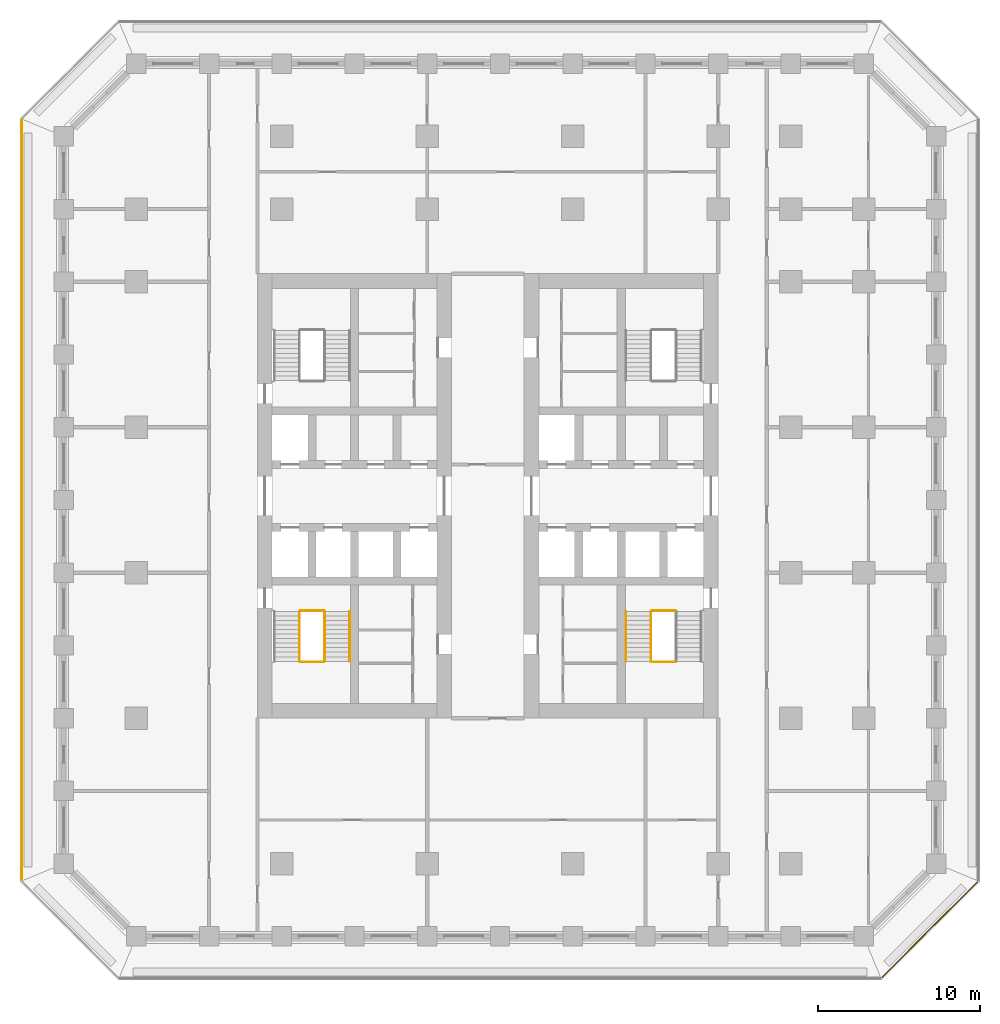
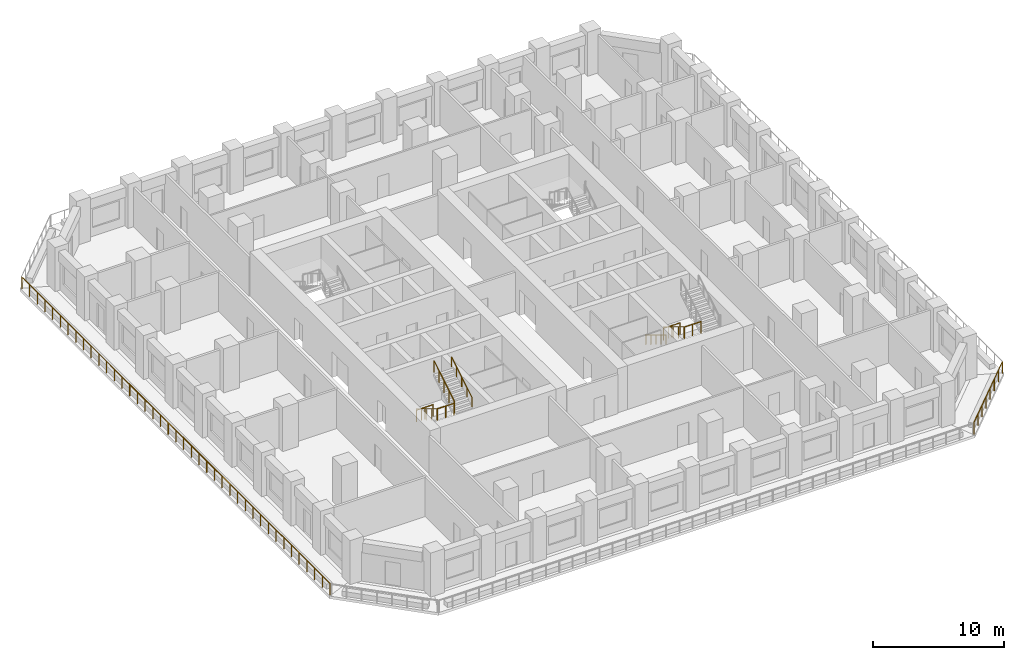
# One storey, part 11 of 17: 11 railings.
"""IFC4 building model written with IfcOpenShell, lengths in metres."""

from ifc_helpers import new_model, si_unit, direction, frame, origin, origin_2d, place, context, subcontext, project, spatial, circle, extrude, material, type_object, element, save


model = new_model("IFC4")

# Units and contexts
model_context = context("Model", 3, precision=1e-05, world=origin(), true_north=direction((0.0, 1.0)))
body_context = subcontext(model_context, "Body", "Model", "MODEL_VIEW")
ifc_project = project(units=[si_unit("LENGTHUNIT", "METRE"), si_unit("AREAUNIT", "SQUARE_METRE"), si_unit("VOLUMEUNIT", "CUBIC_METRE"), si_unit("PLANEANGLEUNIT", "RADIAN"), si_unit("MASSUNIT", "GRAM", prefix="KILO")], contexts=[model_context])

# Site, building, storey
site_placement = place(None, origin())
site = spatial("IfcSite", under=ifc_project, at=site_placement, CompositionType="ELEMENT")
building_placement = place(site_placement, origin())
building = spatial("IfcBuilding", under=site, at=building_placement, Name="Corbel Stack Research Tower", CompositionType="ELEMENT")
storey_placement = place(building_placement, frame((0.0, 0.0, 86.10009765625)))
storey = spatial("IfcBuildingStorey", under=building, at=storey_placement, Name="L19", CompositionType="ELEMENT", Elevation=86.10009765625)

# Railings
ifc_material_1 = material(Name="Steel S355", Category="steel")
railing_type_1 = type_object("IfcRailingType", Name="Stair guard 1100", PredefinedType="GUARDRAIL", material=ifc_material_1)
railing_1_placement = place(storey_placement, frame((-7.89990234375, -2.39990234375, 0.170654296875)))
element("IfcRailing", 1, at=railing_1_placement, inside=storey, type_object=railing_type_1, Name="L19 ST-W1 stair guard 1", PredefinedType="GUARDRAIL", context=body_context, shape_type="SweptSolid", body=[
    extrude(circle(Radius=0.02392578125, at=origin_2d()), frame((0.0, 0.0, 1.076171875), z_axis=(0.0, -0.853666305674, 0.52082035152), x_axis=(1.0, 0.0, 0.0)), (0.0, 0.0, 1.0), 3.608154296875),
    extrude(circle(Radius=0.02099609375, at=origin_2d()), origin(), (0.0, 0.0, 1.0), 1.052001953125),
    extrude(circle(Radius=0.02099609375, at=origin_2d()), frame((0.0, -0.77001953125, 0.4697265625)), (0.0, 0.0, 1.0), 1.052001953125),
    extrude(circle(Radius=0.02099609375, at=origin_2d()), frame((0.0, -1.5400390625, 0.939453125)), (0.0, 0.0, 1.0), 1.052001953125),
    extrude(circle(Radius=0.02099609375, at=origin_2d()), frame((0.0, -2.31005859375, 1.409423828125)), (0.0, 0.0, 1.0), 1.052001953125),
    extrude(circle(Radius=0.02099609375, at=origin_2d()), frame((0.0, -3.080078125, 1.879150390625)), (0.0, 0.0, 1.0), 1.052001953125),
])
railing_2_placement = place(storey_placement, frame((-7.85009765625, -5.530029296875, 2.0498046875)))
element("IfcRailing", 2, at=railing_2_placement, inside=storey, type_object=railing_type_1, Name="L19 ST-W1 stair guard 2", PredefinedType="GUARDRAIL", context=body_context, shape_type="SweptSolid", body=[
    extrude(circle(Radius=0.02392578125, at=origin_2d()), frame((0.0, 0.0, 1.076171875), z_axis=(1.0, 0.0, 0.0), x_axis=(0.0, 1.0, 0.0)), (0.0, 0.0, 1.0), 1.4501953125),
    extrude(circle(Radius=0.02099609375, at=origin_2d()), origin(), (0.0, 0.0, 1.0), 1.052001953125),
    extrude(circle(Radius=0.02099609375, at=origin_2d()), frame((0.72509765625, 0.0, 0.0)), (0.0, 0.0, 1.0), 1.052001953125),
    extrude(circle(Radius=0.02099609375, at=origin_2d()), frame((1.4501953125, 0.0, 0.0)), (0.0, 0.0, 1.0), 1.052001953125),
])
railing_3_placement = place(storey_placement, frame((-6.35009765625, -5.47998046875, 2.220703125)))
element("IfcRailing", 3, at=railing_3_placement, inside=storey, type_object=railing_type_1, Name="L19 ST-W1 stair guard 4", PredefinedType="GUARDRAIL", context=body_context, shape_type="SweptSolid", body=[
    extrude(circle(Radius=0.02392578125, at=origin_2d()), frame((0.0, 0.0, 1.076171875), z_axis=(0.0, 0.853666305674, 0.52082035152), x_axis=(-1.0, 0.0, 0.0)), (0.0, 0.0, 1.0), 3.608154296875),
    extrude(circle(Radius=0.02099609375, at=origin_2d()), origin(), (0.0, 0.0, 1.0), 1.052001953125),
    extrude(circle(Radius=0.02099609375, at=origin_2d()), frame((0.0, 0.77001953125, 0.4697265625)), (0.0, 0.0, 1.0), 1.052001953125),
    extrude(circle(Radius=0.02099609375, at=origin_2d()), frame((0.0, 1.5400390625, 0.939453125)), (0.0, 0.0, 1.0), 1.052001953125),
    extrude(circle(Radius=0.02099609375, at=origin_2d()), frame((0.0, 2.31005859375, 1.409423828125)), (0.0, 0.0, 1.0), 1.052001953125),
    extrude(circle(Radius=0.02099609375, at=origin_2d()), frame((0.0, 3.080078125, 1.879150390625)), (0.0, 0.0, 1.0), 1.052001953125),
])
railing_4_placement = place(storey_placement, frame((-7.85009765625, -2.35009765625, 0.0)))
element("IfcRailing", 4, at=railing_4_placement, inside=storey, type_object=railing_type_1, Name="L19 ST-W1 stair guard 5", PredefinedType="GUARDRAIL", context=body_context, shape_type="SweptSolid", body=[
    extrude(circle(Radius=0.02392578125, at=origin_2d()), frame((0.0, 0.0, 1.076171875), z_axis=(1.0, 0.0, 0.0), x_axis=(0.0, 1.0, 0.0)), (0.0, 0.0, 1.0), 1.4501953125),
    extrude(circle(Radius=0.02099609375, at=origin_2d()), origin(), (0.0, 0.0, 1.0), 1.052001953125),
    extrude(circle(Radius=0.02099609375, at=origin_2d()), frame((0.72509765625, 0.0, 0.0)), (0.0, 0.0, 1.0), 1.052001953125),
    extrude(circle(Radius=0.02099609375, at=origin_2d()), frame((1.4501953125, 0.0, 0.0)), (0.0, 0.0, 1.0), 1.052001953125),
])
railing_5_placement = place(storey_placement, frame((13.85009765625, -2.39990234375, 0.170654296875)))
element("IfcRailing", 5, at=railing_5_placement, inside=storey, type_object=railing_type_1, Name="L19 ST-E1 stair guard 1", PredefinedType="GUARDRAIL", context=body_context, shape_type="SweptSolid", body=[
    extrude(circle(Radius=0.02392578125, at=origin_2d()), frame((0.0, 0.0, 1.076171875), z_axis=(0.0, -0.853666305674, 0.52082035152), x_axis=(1.0, 0.0, 0.0)), (0.0, 0.0, 1.0), 3.608154296875),
    extrude(circle(Radius=0.02099609375, at=origin_2d()), origin(), (0.0, 0.0, 1.0), 1.052001953125),
    extrude(circle(Radius=0.02099609375, at=origin_2d()), frame((0.0, -0.77001953125, 0.4697265625)), (0.0, 0.0, 1.0), 1.052001953125),
    extrude(circle(Radius=0.02099609375, at=origin_2d()), frame((0.0, -1.5400390625, 0.939453125)), (0.0, 0.0, 1.0), 1.052001953125),
    extrude(circle(Radius=0.02099609375, at=origin_2d()), frame((0.0, -2.31005859375, 1.409423828125)), (0.0, 0.0, 1.0), 1.052001953125),
    extrude(circle(Radius=0.02099609375, at=origin_2d()), frame((0.0, -3.080078125, 1.879150390625)), (0.0, 0.0, 1.0), 1.052001953125),
])
for number, where, name in (
    (6, (13.89990234375, -5.530029296875, 2.0498046875), "L19 ST-E1 stair guard 2"),
    (7, (13.89990234375, -2.35009765625, 0.0), "L19 ST-E1 stair guard 5"),
):
    element("IfcRailing", number, at=place(storey_placement, frame(where)), inside=storey, type_object=railing_type_1, Name=name, PredefinedType="GUARDRAIL", context=body_context, shape_type="SweptSolid", body=[
        extrude(circle(Radius=0.02392578125, at=origin_2d()), frame((0.0, 0.0, 1.076171875), z_axis=(1.0, 0.0, 0.0), x_axis=(0.0, 1.0, 0.0)), (0.0, 0.0, 1.0), 1.4501953125),
        extrude(circle(Radius=0.02099609375, at=origin_2d()), origin(), (0.0, 0.0, 1.0), 1.052001953125),
        extrude(circle(Radius=0.02099609375, at=origin_2d()), frame((0.72509765625, 0.0, 0.0)), (0.0, 0.0, 1.0), 1.052001953125),
        extrude(circle(Radius=0.02099609375, at=origin_2d()), frame((1.4501953125, 0.0, 0.0)), (0.0, 0.0, 1.0), 1.052001953125),
    ])
ifc_material_2 = material(Name="Steel S355", Category="steel")
railing_type_2 = type_object("IfcRailingType", Name="Stair handrail 900", PredefinedType="HANDRAIL", material=ifc_material_2)
railing_6_placement = place(storey_placement, frame((-4.800048828125, -5.47998046875, 2.220703125)))
element("IfcRailing", 8, at=railing_6_placement, inside=storey, type_object=railing_type_2, Name="L19 ST-W1 stair handrail 2", PredefinedType="HANDRAIL", context=body_context, shape_type="SweptSolid", body=[
    extrude(circle(Radius=0.02392578125, at=origin_2d()), frame((0.0, 0.0, 0.8759765625), z_axis=(0.0, 0.853666305674, 0.52082035152), x_axis=(-1.0, 0.0, 0.0)), (0.0, 0.0, 1.0), 3.608154296875),
    extrude(circle(Radius=0.02099609375, at=origin_2d()), origin(), (0.0, 0.0, 1.0), 0.851806640625),
    extrude(circle(Radius=0.02099609375, at=origin_2d()), frame((0.0, 0.77001953125, 0.4697265625)), (0.0, 0.0, 1.0), 0.851806640625),
    extrude(circle(Radius=0.02099609375, at=origin_2d()), frame((0.0, 1.5400390625, 0.939453125)), (0.0, 0.0, 1.0), 0.851806640625),
    extrude(circle(Radius=0.02099609375, at=origin_2d()), frame((0.0, 2.31005859375, 1.409423828125)), (0.0, 0.0, 1.0), 0.851806640625),
    extrude(circle(Radius=0.02099609375, at=origin_2d()), frame((0.0, 3.080078125, 1.879150390625)), (0.0, 0.0, 1.0), 0.851806640625),
])
railing_7_placement = place(storey_placement, frame((12.300048828125, -2.39990234375, 0.170654296875)))
element("IfcRailing", 9, at=railing_7_placement, inside=storey, type_object=railing_type_2, Name="L19 ST-E1 stair handrail 1", PredefinedType="HANDRAIL", context=body_context, shape_type="SweptSolid", body=[
    extrude(circle(Radius=0.02392578125, at=origin_2d()), frame((0.0, 0.0, 0.8759765625), z_axis=(0.0, -0.853666305674, 0.52082035152), x_axis=(1.0, 0.0, 0.0)), (0.0, 0.0, 1.0), 3.608154296875),
    extrude(circle(Radius=0.02099609375, at=origin_2d()), origin(), (0.0, 0.0, 1.0), 0.851806640625),
    extrude(circle(Radius=0.02099609375, at=origin_2d()), frame((0.0, -0.77001953125, 0.4697265625)), (0.0, 0.0, 1.0), 0.851806640625),
    extrude(circle(Radius=0.02099609375, at=origin_2d()), frame((0.0, -1.5400390625, 0.939453125)), (0.0, 0.0, 1.0), 0.851806640625),
    extrude(circle(Radius=0.02099609375, at=origin_2d()), frame((0.0, -2.31005859375, 1.409423828125)), (0.0, 0.0, 1.0), 0.851806640625),
    extrude(circle(Radius=0.02099609375, at=origin_2d()), frame((0.0, -3.080078125, 1.879150390625)), (0.0, 0.0, 1.0), 0.851806640625),
])
ifc_material_3 = material(Name="Powder-coated steel guard", Category="steel")
railing_type_3 = type_object("IfcRailingType", Name="Steel and glass guard 1100", PredefinedType="GUARDRAIL", material=ifc_material_3)
railing_8_placement = place(storey_placement, frame((28.127685546875, -25.04931640625, 0.0)))
element("IfcRailing", 10, at=railing_8_placement, inside=storey, type_object=railing_type_3, Name="Loggia guard L19 SE", PredefinedType="GUARDRAIL", context=body_context, shape_type="SweptSolid", body=[
    extrude(circle(Radius=0.02392578125, at=origin_2d()), frame((0.0, 0.0, 1.076171875), z_axis=(0.707106781187, 0.707106781187, 0.0), x_axis=(-0.707106781187, 0.707106781187, 0.0)), (0.0, 0.0, 1.0), 8.37451171875),
    extrude(circle(Radius=0.02099609375, at=origin_2d()), origin(), (0.0, 0.0, 1.0), 1.052001953125),
    extrude(circle(Radius=0.02099609375, at=origin_2d()), frame((0.845947265625, 0.845947265625, 0.0)), (0.0, 0.0, 1.0), 1.052001953125),
    extrude(circle(Radius=0.02099609375, at=origin_2d()), frame((1.69189453125, 1.69189453125, 0.0)), (0.0, 0.0, 1.0), 1.052001953125),
    extrude(circle(Radius=0.02099609375, at=origin_2d()), frame((2.537841796875, 2.537841796875, 0.0)), (0.0, 0.0, 1.0), 1.052001953125),
    extrude(circle(Radius=0.02099609375, at=origin_2d()), frame((3.3837890625, 3.3837890625, 0.0)), (0.0, 0.0, 1.0), 1.052001953125),
    extrude(circle(Radius=0.02099609375, at=origin_2d()), frame((4.229736328125, 4.229736328125, 0.0)), (0.0, 0.0, 1.0), 1.052001953125),
    extrude(circle(Radius=0.02099609375, at=origin_2d()), frame((5.07568359375, 5.07568359375, 0.0)), (0.0, 0.0, 1.0), 1.052001953125),
    extrude(circle(Radius=0.02099609375, at=origin_2d()), frame((5.921630859375, 5.921630859375, 0.0)), (0.0, 0.0, 1.0), 1.052001953125),
])
railing_9_placement = place(storey_placement, frame((-25.10009765625, 28.00537109375, 0.0)))
element("IfcRailing", 11, at=railing_9_placement, inside=storey, type_object=railing_type_3, Name="Loggia guard L19 W", PredefinedType="GUARDRAIL", context=body_context, shape_type="SweptSolid", body=[
    extrude(circle(Radius=0.02392578125, at=origin_2d()), frame((0.0, 0.0, 1.076171875), z_axis=(0.0, -1.0, 0.0), x_axis=(1.0, 0.0, 0.0)), (0.0, 0.0, 1.0), 47.0107421875),
    extrude(circle(Radius=0.02099609375, at=origin_2d()), origin(), (0.0, 0.0, 1.0), 1.052001953125),
    extrude(circle(Radius=0.02099609375, at=origin_2d()), frame((0.0, -1.17529296875, 0.0)), (0.0, 0.0, 1.0), 1.052001953125),
    extrude(circle(Radius=0.02099609375, at=origin_2d()), frame((0.0, -2.3505859375, 0.0)), (0.0, 0.0, 1.0), 1.052001953125),
    extrude(circle(Radius=0.02099609375, at=origin_2d()), frame((0.0, -3.52587890625, 0.0)), (0.0, 0.0, 1.0), 1.052001953125),
    extrude(circle(Radius=0.02099609375, at=origin_2d()), frame((0.0, -4.701171875, 0.0)), (0.0, 0.0, 1.0), 1.052001953125),
    extrude(circle(Radius=0.02099609375, at=origin_2d()), frame((0.0, -5.87646484375, 0.0)), (0.0, 0.0, 1.0), 1.052001953125),
    extrude(circle(Radius=0.02099609375, at=origin_2d()), frame((0.0, -7.051513671875, 0.0)), (0.0, 0.0, 1.0), 1.052001953125),
    extrude(circle(Radius=0.02099609375, at=origin_2d()), frame((0.0, -8.226806640625, 0.0)), (0.0, 0.0, 1.0), 1.052001953125),
    extrude(circle(Radius=0.02099609375, at=origin_2d()), frame((0.0, -9.402099609375, 0.0)), (0.0, 0.0, 1.0), 1.052001953125),
    extrude(circle(Radius=0.02099609375, at=origin_2d()), frame((0.0, -10.577392578125, 0.0)), (0.0, 0.0, 1.0), 1.052001953125),
    extrude(circle(Radius=0.02099609375, at=origin_2d()), frame((0.0, -11.752685546875, 0.0)), (0.0, 0.0, 1.0), 1.052001953125),
    extrude(circle(Radius=0.02099609375, at=origin_2d()), frame((0.0, -12.927978515625, 0.0)), (0.0, 0.0, 1.0), 1.052001953125),
    extrude(circle(Radius=0.02099609375, at=origin_2d()), frame((0.0, -14.103271484375, 0.0)), (0.0, 0.0, 1.0), 1.052001953125),
    extrude(circle(Radius=0.02099609375, at=origin_2d()), frame((0.0, -15.278564453125, 0.0)), (0.0, 0.0, 1.0), 1.052001953125),
    extrude(circle(Radius=0.02099609375, at=origin_2d()), frame((0.0, -16.453857421875, 0.0)), (0.0, 0.0, 1.0), 1.052001953125),
    extrude(circle(Radius=0.02099609375, at=origin_2d()), frame((0.0, -17.62890625, 0.0)), (0.0, 0.0, 1.0), 1.052001953125),
    extrude(circle(Radius=0.02099609375, at=origin_2d()), frame((0.0, -18.80419921875, 0.0)), (0.0, 0.0, 1.0), 1.052001953125),
    extrude(circle(Radius=0.02099609375, at=origin_2d()), frame((0.0, -19.9794921875, 0.0)), (0.0, 0.0, 1.0), 1.052001953125),
    extrude(circle(Radius=0.02099609375, at=origin_2d()), frame((0.0, -21.15478515625, 0.0)), (0.0, 0.0, 1.0), 1.052001953125),
    extrude(circle(Radius=0.02099609375, at=origin_2d()), frame((0.0, -22.330078125, 0.0)), (0.0, 0.0, 1.0), 1.052001953125),
    extrude(circle(Radius=0.02099609375, at=origin_2d()), frame((0.0, -23.50537109375, 0.0)), (0.0, 0.0, 1.0), 1.052001953125),
    extrude(circle(Radius=0.02099609375, at=origin_2d()), frame((0.0, -24.6806640625, 0.0)), (0.0, 0.0, 1.0), 1.052001953125),
    extrude(circle(Radius=0.02099609375, at=origin_2d()), frame((0.0, -25.85595703125, 0.0)), (0.0, 0.0, 1.0), 1.052001953125),
    extrude(circle(Radius=0.02099609375, at=origin_2d()), frame((0.0, -27.03125, 0.0)), (0.0, 0.0, 1.0), 1.052001953125),
    extrude(circle(Radius=0.02099609375, at=origin_2d()), frame((0.0, -28.20654296875, 0.0)), (0.0, 0.0, 1.0), 1.052001953125),
    extrude(circle(Radius=0.02099609375, at=origin_2d()), frame((0.0, -29.3818359375, 0.0)), (0.0, 0.0, 1.0), 1.052001953125),
    extrude(circle(Radius=0.02099609375, at=origin_2d()), frame((0.0, -30.556884765625, 0.0)), (0.0, 0.0, 1.0), 1.052001953125),
    extrude(circle(Radius=0.02099609375, at=origin_2d()), frame((0.0, -31.732177734375, 0.0)), (0.0, 0.0, 1.0), 1.052001953125),
    extrude(circle(Radius=0.02099609375, at=origin_2d()), frame((0.0, -32.907470703125, 0.0)), (0.0, 0.0, 1.0), 1.052001953125),
    extrude(circle(Radius=0.02099609375, at=origin_2d()), frame((0.0, -34.082763671875, 0.0)), (0.0, 0.0, 1.0), 1.052001953125),
    extrude(circle(Radius=0.02099609375, at=origin_2d()), frame((0.0, -35.258056640625, 0.0)), (0.0, 0.0, 1.0), 1.052001953125),
    extrude(circle(Radius=0.02099609375, at=origin_2d()), frame((0.0, -36.433349609375, 0.0)), (0.0, 0.0, 1.0), 1.052001953125),
    extrude(circle(Radius=0.02099609375, at=origin_2d()), frame((0.0, -37.608642578125, 0.0)), (0.0, 0.0, 1.0), 1.052001953125),
    extrude(circle(Radius=0.02099609375, at=origin_2d()), frame((0.0, -38.783935546875, 0.0)), (0.0, 0.0, 1.0), 1.052001953125),
    extrude(circle(Radius=0.02099609375, at=origin_2d()), frame((0.0, -39.959228515625, 0.0)), (0.0, 0.0, 1.0), 1.052001953125),
    extrude(circle(Radius=0.02099609375, at=origin_2d()), frame((0.0, -41.13427734375, 0.0)), (0.0, 0.0, 1.0), 1.052001953125),
    extrude(circle(Radius=0.02099609375, at=origin_2d()), frame((0.0, -42.3095703125, 0.0)), (0.0, 0.0, 1.0), 1.052001953125),
    extrude(circle(Radius=0.02099609375, at=origin_2d()), frame((0.0, -43.48486328125, 0.0)), (0.0, 0.0, 1.0), 1.052001953125),
    extrude(circle(Radius=0.02099609375, at=origin_2d()), frame((0.0, -44.66015625, 0.0)), (0.0, 0.0, 1.0), 1.052001953125),
    extrude(circle(Radius=0.02099609375, at=origin_2d()), frame((0.0, -45.83544921875, 0.0)), (0.0, 0.0, 1.0), 1.052001953125),
    extrude(circle(Radius=0.02099609375, at=origin_2d()), frame((0.0, -47.0107421875, 0.0)), (0.0, 0.0, 1.0), 1.052001953125),
])

save(model, "model.ifc")
